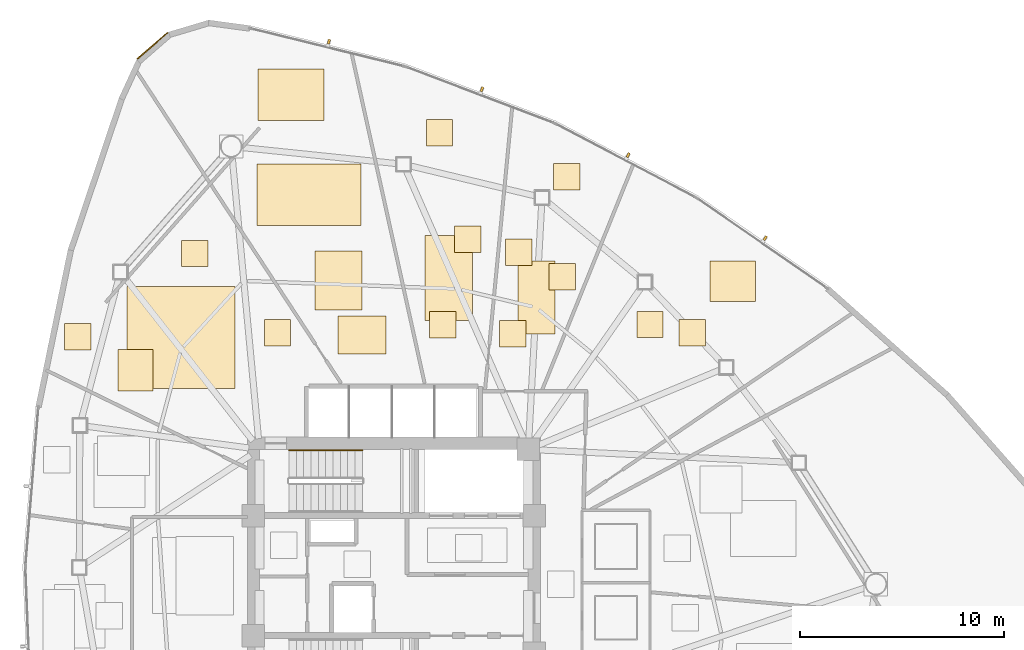
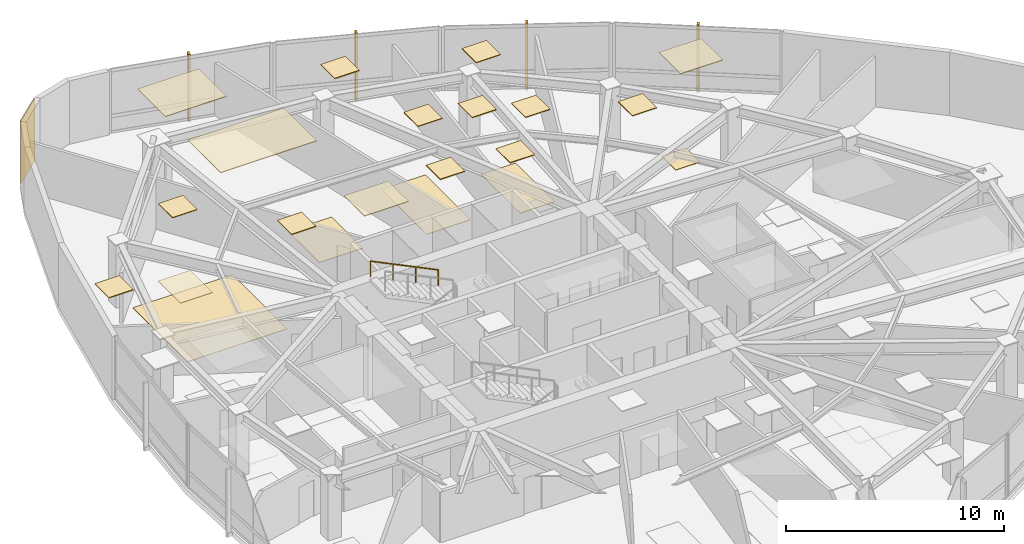
# One storey, part 17 of 17: 22 coverings, 4 shading devices, 1 railing.
"""IFC4 building model written with IfcOpenShell, lengths in metres."""

from ifc_helpers import new_model, si_unit, direction, frame, origin, origin_2d, place, context, subcontext, project, spatial, polyline, rectangle, outline, extrude, source, transform, mapped, material, layer, layer_set, type_object, type_shapes, element, save


model = new_model("IFC4")

# Units and contexts
model_context = context("Model", 3, precision=1e-05, world=origin(), true_north=direction((0.0, 1.0)))
body_context = subcontext(model_context, "Body", "Model", "MODEL_VIEW")
ifc_project = project(units=[si_unit("LENGTHUNIT", "METRE"), si_unit("AREAUNIT", "SQUARE_METRE"), si_unit("VOLUMEUNIT", "CUBIC_METRE"), si_unit("PLANEANGLEUNIT", "RADIAN"), si_unit("MASSUNIT", "GRAM", prefix="KILO")], contexts=[model_context])

# Site, building, storey
site_placement = place(None, origin())
site = spatial("IfcSite", under=ifc_project, at=site_placement, CompositionType="ELEMENT")
building_placement = place(site_placement, origin())
building = spatial("IfcBuilding", under=site, at=building_placement, Name="Tavelor Broadcast Tower", CompositionType="ELEMENT")
storey_placement = place(building_placement, frame((0.0, 0.0, 154.10009765625)))
storey = spatial("IfcBuildingStorey", under=building, at=storey_placement, Name="L36", CompositionType="ELEMENT", Elevation=154.10009765625)

# Covering
ifc_material_1 = material(Name="Copper-Bronze Anodized Aluminium", Category="aluminium")
ifc_layer_1 = layer(ifc_material_1, 0.050048828125)
ifc_layer_set_1 = layer_set([ifc_layer_1], Name="Copper-Bronze Anodized Aluminium")
covering_type_1 = type_object("IfcCoveringType", Name="Champagne-Bronze Corner Pier Metal Cladding 50 mm", PredefinedType="CLADDING", material=ifc_layer_set_1)
covering_1_placement = place(storey_placement, frame((38.142333984375, 71.02001953125, 0.02001953125), z_axis=(0.0, 0.0, 1.0), x_axis=(-0.755281812285, -0.655400170912, 0.0)))
element("IfcCovering", 1, at=covering_1_placement, inside=storey, type_object=covering_type_1, Name="L36 Champagne-Bronze Corner Cladding 03", PredefinedType="CLADDING", context=body_context, shape_type="SweptSolid", body=[
    extrude(rectangle(XDim=1.96728515625, YDim=0.050048828125, at=origin_2d()), origin(), (0.0, 0.0, 1.0), 3.510009765625),
])

# Railing
ifc_material_2 = material(Name="Steel S355", Category="steel")
railing_type = type_object("IfcRailingType", Name="Continuous Brushed Stainless Handrail 900 mm", PredefinedType="HANDRAIL", material=ifc_material_2)
railing_placement = place(storey_placement, frame((48.449951171875, 51.14990234375, 2.099853515625)))
element("IfcRailing", 2, at=railing_placement, inside=storey, type_object=railing_type, Name="L36 ST1 stair handrail 2", PredefinedType="HANDRAIL", context=body_context, shape_type="SweptSolid", body=[
    extrude(rectangle(XDim=0.048095703125, YDim=0.048095703125, at=origin_2d()), frame((0.0, 0.0, 0.8759765625), z_axis=(-0.899360859046, 0.0, 0.437207096483), x_axis=(0.0, -1.0, 0.0)), (0.0, 0.0, 1.0), 4.002685546875),
    extrude(rectangle(XDim=0.0419921875, YDim=0.0419921875, at=origin_2d()), origin(), (0.0, 0.0, 1.0), 0.851806640625),
    extrude(rectangle(XDim=0.0419921875, YDim=0.0419921875, at=origin_2d()), frame((-1.199951171875, 0.0, 0.583251953125)), (0.0, 0.0, 1.0), 0.851806640625),
    extrude(rectangle(XDim=0.0419921875, YDim=0.0419921875, at=origin_2d()), frame((-2.39990234375, 0.0, 1.166748046875)), (0.0, 0.0, 1.0), 0.851806640625),
    extrude(rectangle(XDim=0.0419921875, YDim=0.0419921875, at=origin_2d()), frame((-3.599853515625, 0.0, 1.75)), (0.0, 0.0, 1.0), 0.851806640625),
])

# Coverings
ifc_material_3 = material(Name="Acoustic Nylon Carpet Tile")
ifc_layer_2 = layer(ifc_material_3, 0.02001953125)
ifc_layer_set_2 = layer_set([ifc_layer_2], Name="Acoustic Nylon Carpet Tile")
covering_type_2 = type_object("IfcCoveringType", Name="Heavy-Duty Acoustic Broadcast Carpet Tile 20 mm", PredefinedType="FLOORING", material=ifc_layer_set_2)
covering_2_placement = place(storey_placement, origin())
element("IfcCovering", 3, at=covering_2_placement, inside=storey, type_object=covering_type_2, Name="L36 Broadcast Floor Finish 0529", PredefinedType="FLOORING", context=body_context, shape_type="SweptSolid", body=[
    extrude(outline(polyline([(36.897705078125, 54.189208984375), (42.190673828125, 54.189208984375), (42.190673828125, 59.2001953125), (36.897705078125, 59.2001953125), (36.897705078125, 54.189208984375)])), origin(), (0.0, 0.0, 1.0), 0.02001953125),
])
covering_3_placement = place(storey_placement, origin())
element("IfcCovering", 4, at=covering_3_placement, inside=storey, type_object=covering_type_2, Name="L36 Broadcast Floor Finish 0530", PredefinedType="FLOORING", context=body_context, shape_type="SweptSolid", body=[
    extrude(outline(polyline([(46.1181640625, 58.042724609375), (48.43359375, 58.042724609375), (48.43359375, 60.931884765625), (46.1181640625, 60.931884765625), (46.1181640625, 58.042724609375)])), origin(), (0.0, 0.0, 1.0), 0.02001953125),
])
covering_4_placement = place(storey_placement, origin())
element("IfcCovering", 5, at=covering_4_placement, inside=storey, type_object=covering_type_2, Name="L36 Broadcast Floor Finish 0531", PredefinedType="FLOORING", context=body_context, shape_type="SweptSolid", body=[
    extrude(outline(polyline([(51.522705078125, 57.54248046875), (53.852783203125, 57.54248046875), (53.852783203125, 61.69970703125), (51.522705078125, 61.69970703125), (51.522705078125, 57.54248046875)])), origin(), (0.0, 0.0, 1.0), 0.02001953125),
])
covering_5_placement = place(storey_placement, origin())
element("IfcCovering", 6, at=covering_5_placement, inside=storey, type_object=covering_type_2, Name="L36 Broadcast Floor Finish 0532", PredefinedType="FLOORING", context=body_context, shape_type="SweptSolid", body=[
    extrude(outline(polyline([(56.086181640625, 56.859130859375), (57.920654296875, 56.859130859375), (57.920654296875, 60.4541015625), (56.086181640625, 60.4541015625), (56.086181640625, 56.859130859375)])), origin(), (0.0, 0.0, 1.0), 0.02001953125),
])
covering_6_placement = place(storey_placement, origin())
element("IfcCovering", 7, at=covering_6_placement, inside=storey, type_object=covering_type_2, Name="L36 Broadcast Floor Finish 0533", PredefinedType="FLOORING", context=body_context, shape_type="SweptSolid", body=[
    extrude(outline(polyline([(64.002685546875, 56.27880859375), (65.302734375, 56.27880859375), (65.302734375, 57.578857421875), (64.002685546875, 57.578857421875), (64.002685546875, 56.27880859375)])), origin(), (0.0, 0.0, 1.0), 0.02001953125),
])
ifc_material_4 = material(Name="Acoustic Mineral Fibre Tile")
ifc_layer_3 = layer(ifc_material_4, 0.0400390625)
ifc_layer_set_3 = layer_set([ifc_layer_3], Name="Acoustic Mineral Fibre Tile")
covering_type_3 = type_object("IfcCoveringType", Name="Suspended Acoustic Mineral-Fibre Office Ceiling 40 mm", PredefinedType="CEILING", material=ifc_layer_set_3)
covering_7_placement = place(storey_placement, frame((0.0, 0.0, 3.510009765625)))
element("IfcCovering", 8, at=covering_7_placement, inside=storey, type_object=covering_type_3, Name="L36 Suspended Acoustic Ceiling 1500", PredefinedType="CEILING", context=body_context, shape_type="SweptSolid", body=[
    extrude(outline(polyline([(39.569091796875, 60.171142578125), (40.869140625, 60.171142578125), (40.869140625, 61.47119140625), (39.569091796875, 61.47119140625), (39.569091796875, 60.171142578125)])), origin(), (0.0, 0.0, 1.0), 0.039794921875),
])
covering_8_placement = place(storey_placement, frame((0.0, 0.0, 3.510009765625)))
element("IfcCovering", 9, at=covering_8_placement, inside=storey, type_object=covering_type_3, Name="L36 Suspended Acoustic Ceiling 1501", PredefinedType="CEILING", context=body_context, shape_type="SweptSolid", body=[
    extrude(outline(polyline([(43.63330078125, 56.28759765625), (44.933349609375, 56.28759765625), (44.933349609375, 57.587646484375), (43.63330078125, 57.587646484375), (43.63330078125, 56.28759765625)])), origin(), (0.0, 0.0, 1.0), 0.039794921875),
])
covering_9_placement = place(storey_placement, frame((0.0, 0.0, 3.510009765625)))
element("IfcCovering", 10, at=covering_9_placement, inside=storey, type_object=covering_type_3, Name="L36 Suspended Acoustic Ceiling 1502", PredefinedType="CEILING", context=body_context, shape_type="SweptSolid", body=[
    extrude(outline(polyline([(36.458984375, 54.061767578125), (38.173828125, 54.061767578125), (38.173828125, 56.1162109375), (36.458984375, 56.1162109375), (36.458984375, 54.061767578125)])), origin(), (0.0, 0.0, 1.0), 0.039794921875),
])
covering_10_placement = place(storey_placement, frame((0.0, 0.0, 3.510009765625)))
element("IfcCovering", 11, at=covering_10_placement, inside=storey, type_object=covering_type_3, Name="L36 Suspended Acoustic Ceiling 1503", PredefinedType="CEILING", context=body_context, shape_type="SweptSolid", body=[
    extrude(outline(polyline([(33.83349609375, 56.078857421875), (35.133544921875, 56.078857421875), (35.133544921875, 57.37890625), (33.83349609375, 57.37890625), (33.83349609375, 56.078857421875)])), origin(), (0.0, 0.0, 1.0), 0.039794921875),
])
covering_11_placement = place(storey_placement, frame((0.0, 0.0, 3.510009765625)))
element("IfcCovering", 12, at=covering_11_placement, inside=storey, type_object=covering_type_3, Name="L36 Suspended Acoustic Ceiling 1504", PredefinedType="CEILING", context=body_context, shape_type="SweptSolid", body=[
    extrude(outline(polyline([(43.32958984375, 67.345703125), (46.56640625, 67.345703125), (46.56640625, 69.893310546875), (43.32958984375, 69.893310546875), (43.32958984375, 67.345703125)])), origin(), (0.0, 0.0, 1.0), 0.039794921875),
])
covering_12_placement = place(storey_placement, frame((0.0, 0.0, 3.510009765625)))
element("IfcCovering", 13, at=covering_12_placement, inside=storey, type_object=covering_type_3, Name="L36 Suspended Acoustic Ceiling 1505", PredefinedType="CEILING", context=body_context, shape_type="SweptSolid", body=[
    extrude(outline(polyline([(43.2822265625, 62.191650390625), (48.381103515625, 62.191650390625), (48.381103515625, 65.206298828125), (43.2822265625, 65.206298828125), (43.2822265625, 62.191650390625)])), origin(), (0.0, 0.0, 1.0), 0.039794921875),
])
covering_13_placement = place(storey_placement, frame((0.0, 0.0, 3.510009765625)))
element("IfcCovering", 14, at=covering_13_placement, inside=storey, type_object=covering_type_3, Name="L36 Suspended Acoustic Ceiling 1506", PredefinedType="CEILING", context=body_context, shape_type="SweptSolid", body=[
    extrude(outline(polyline([(47.2646484375, 55.8837890625), (49.61279296875, 55.8837890625), (49.61279296875, 57.75439453125), (47.2646484375, 57.75439453125), (47.2646484375, 55.8837890625)])), origin(), (0.0, 0.0, 1.0), 0.039794921875),
])
covering_14_placement = place(storey_placement, frame((0.0, 0.0, 3.510009765625)))
element("IfcCovering", 15, at=covering_14_placement, inside=storey, type_object=covering_type_3, Name="L36 Suspended Acoustic Ceiling 1507", PredefinedType="CEILING", context=body_context, shape_type="SweptSolid", body=[
    extrude(outline(polyline([(51.591064453125, 66.094970703125), (52.89111328125, 66.094970703125), (52.89111328125, 67.39501953125), (51.591064453125, 67.39501953125), (51.591064453125, 66.094970703125)])), origin(), (0.0, 0.0, 1.0), 0.039794921875),
])
covering_15_placement = place(storey_placement, frame((0.0, 0.0, 3.510009765625)))
element("IfcCovering", 16, at=covering_15_placement, inside=storey, type_object=covering_type_3, Name="L36 Suspended Acoustic Ceiling 1508", PredefinedType="CEILING", context=body_context, shape_type="SweptSolid", body=[
    extrude(outline(polyline([(52.9814453125, 60.869873046875), (54.281494140625, 60.869873046875), (54.281494140625, 62.169921875), (52.9814453125, 62.169921875), (52.9814453125, 60.869873046875)])), origin(), (0.0, 0.0, 1.0), 0.039794921875),
])
covering_16_placement = place(storey_placement, frame((0.0, 0.0, 3.510009765625)))
element("IfcCovering", 17, at=covering_16_placement, inside=storey, type_object=covering_type_3, Name="L36 Suspended Acoustic Ceiling 1509", PredefinedType="CEILING", context=body_context, shape_type="SweptSolid", body=[
    extrude(outline(polyline([(51.750244140625, 56.682373046875), (53.05029296875, 56.682373046875), (53.05029296875, 57.982421875), (51.750244140625, 57.982421875), (51.750244140625, 56.682373046875)])), origin(), (0.0, 0.0, 1.0), 0.039794921875),
])
covering_17_placement = place(storey_placement, frame((0.0, 0.0, 3.510009765625)))
element("IfcCovering", 18, at=covering_17_placement, inside=storey, type_object=covering_type_3, Name="L36 Suspended Acoustic Ceiling 1510", PredefinedType="CEILING", context=body_context, shape_type="SweptSolid", body=[
    extrude(outline(polyline([(55.190185546875, 56.230224609375), (56.490234375, 56.230224609375), (56.490234375, 57.5302734375), (55.190185546875, 57.5302734375), (55.190185546875, 56.230224609375)])), origin(), (0.0, 0.0, 1.0), 0.039794921875),
])
covering_18_placement = place(storey_placement, frame((0.0, 0.0, 3.510009765625)))
element("IfcCovering", 19, at=covering_18_placement, inside=storey, type_object=covering_type_3, Name="L36 Suspended Acoustic Ceiling 1511", PredefinedType="CEILING", context=body_context, shape_type="SweptSolid", body=[
    extrude(outline(polyline([(55.4921875, 60.235107421875), (56.792236328125, 60.235107421875), (56.792236328125, 61.53515625), (55.4921875, 61.53515625), (55.4921875, 60.235107421875)])), origin(), (0.0, 0.0, 1.0), 0.039794921875),
])
covering_19_placement = place(storey_placement, frame((0.0, 0.0, 3.510009765625)))
element("IfcCovering", 20, at=covering_19_placement, inside=storey, type_object=covering_type_3, Name="L36 Suspended Acoustic Ceiling 1512", PredefinedType="CEILING", context=body_context, shape_type="SweptSolid", body=[
    extrude(outline(polyline([(57.842529296875, 63.94970703125), (59.142578125, 63.94970703125), (59.142578125, 65.249755859375), (57.842529296875, 65.249755859375), (57.842529296875, 63.94970703125)])), origin(), (0.0, 0.0, 1.0), 0.039794921875),
])
covering_20_placement = place(storey_placement, frame((0.0, 0.0, 3.510009765625)))
element("IfcCovering", 21, at=covering_20_placement, inside=storey, type_object=covering_type_3, Name="L36 Suspended Acoustic Ceiling 1513", PredefinedType="CEILING", context=body_context, shape_type="SweptSolid", body=[
    extrude(outline(polyline([(57.622802734375, 59.020751953125), (58.9228515625, 59.020751953125), (58.9228515625, 60.32080078125), (57.622802734375, 60.32080078125), (57.622802734375, 59.020751953125)])), origin(), (0.0, 0.0, 1.0), 0.039794921875),
])
covering_21_placement = place(storey_placement, frame((0.0, 0.0, 3.510009765625)))
element("IfcCovering", 22, at=covering_21_placement, inside=storey, type_object=covering_type_3, Name="L36 Suspended Acoustic Ceiling 1514", PredefinedType="CEILING", context=body_context, shape_type="SweptSolid", body=[
    extrude(outline(polyline([(65.525634765625, 58.475830078125), (67.764404296875, 58.475830078125), (67.764404296875, 60.459716796875), (65.525634765625, 60.459716796875), (65.525634765625, 58.475830078125)])), origin(), (0.0, 0.0, 1.0), 0.039794921875),
])
covering_22_placement = place(storey_placement, frame((0.0, 0.0, 3.510009765625)))
element("IfcCovering", 23, at=covering_22_placement, inside=storey, type_object=covering_type_3, Name="L36 Suspended Acoustic Ceiling 1515", PredefinedType="CEILING", context=body_context, shape_type="SweptSolid", body=[
    extrude(outline(polyline([(61.929931640625, 56.683837890625), (63.22998046875, 56.683837890625), (63.22998046875, 57.98388671875), (61.929931640625, 57.98388671875), (61.929931640625, 56.683837890625)])), origin(), (0.0, 0.0, 1.0), 0.039794921875),
])

# Shading devices
ifc_material_5 = material(Name="Kiln-Fired Glazed Terracotta", Category="masonry")
shading_device_type = type_object("IfcShadingDeviceType", Name="Extruded Terracotta Baguette Sun-Screen 110x240", PredefinedType="JALOUSIE", material=ifc_material_5)
shared_shape = source(origin(), body_context, "Body", "SweptSolid", [
    extrude(rectangle(XDim=0.110107421875, YDim=0.239990234375, at=origin_2d()), origin(), (0.0, 0.0, 1.0), 3.7900390625),
])
type_shapes(shading_device_type, [shared_shape])
for number, where, z_axis, x_axis, name in (
    (24, (68.241455078125, 61.576416015625, -0.260009765625), (0.0, 0.0, 1.0), (-0.82234270698, 0.568992506345, 0.0), "L36 Terracotta Baguette Fin 369"),
    (25, (61.5068359375, 65.65478515625, -0.260009765625), (0.0, 0.0, 1.0), (-0.885231311332, 0.465151078077, 0.0), "L36 Terracotta Baguette Fin 370"),
    (26, (54.328125, 68.888671875, -0.260009765625), (0.0, 0.0, 1.0), (-0.935011481814, 0.354617440174, 0.0), "L36 Terracotta Baguette Fin 371"),
    (27, (46.810791015625, 71.22998046875, -0.260009765625), (0.0, 0.0, 1.0), (-0.971050956862, 0.238872432853, 0.0), "L36 Terracotta Baguette Fin 372"),
):
    element("IfcShadingDevice", number, at=place(storey_placement, frame(where, z_axis=z_axis, x_axis=x_axis)), inside=storey, type_object=shading_device_type, Name=name, PredefinedType="JALOUSIE", context=body_context, shape_type="MappedRepresentation", body=[
        mapped(shared_shape, transform((0.0, 0.0, 0.0), scale=1.0)),
    ])

save(model, "model.ifc")
